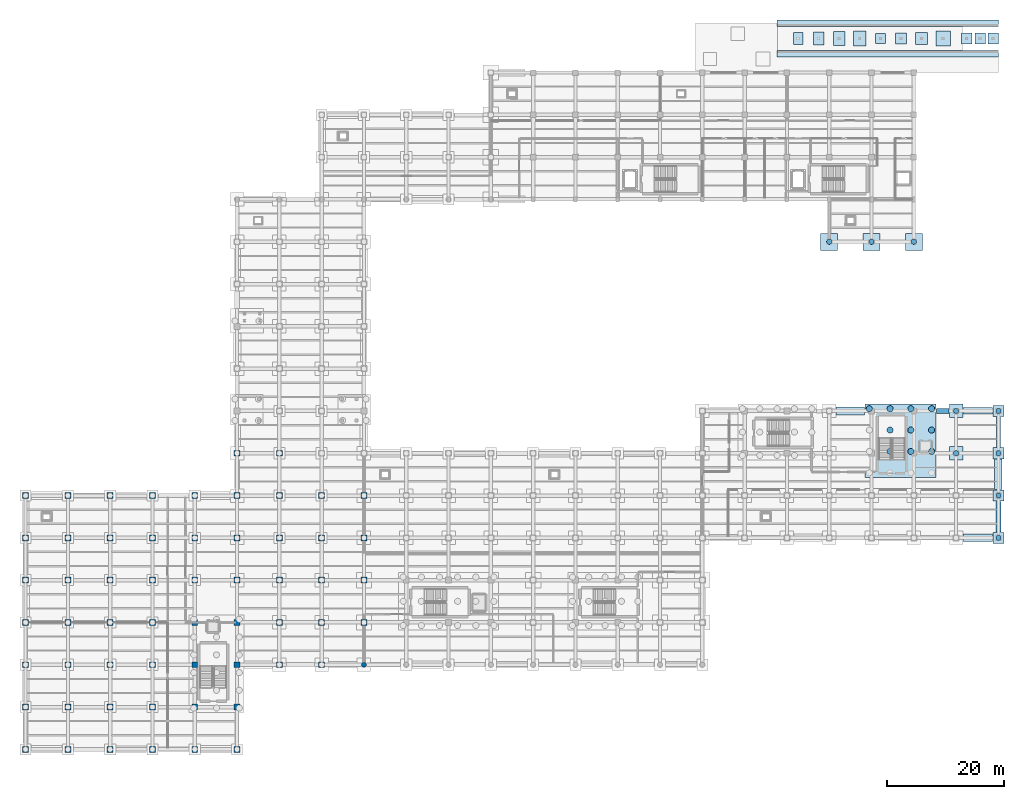
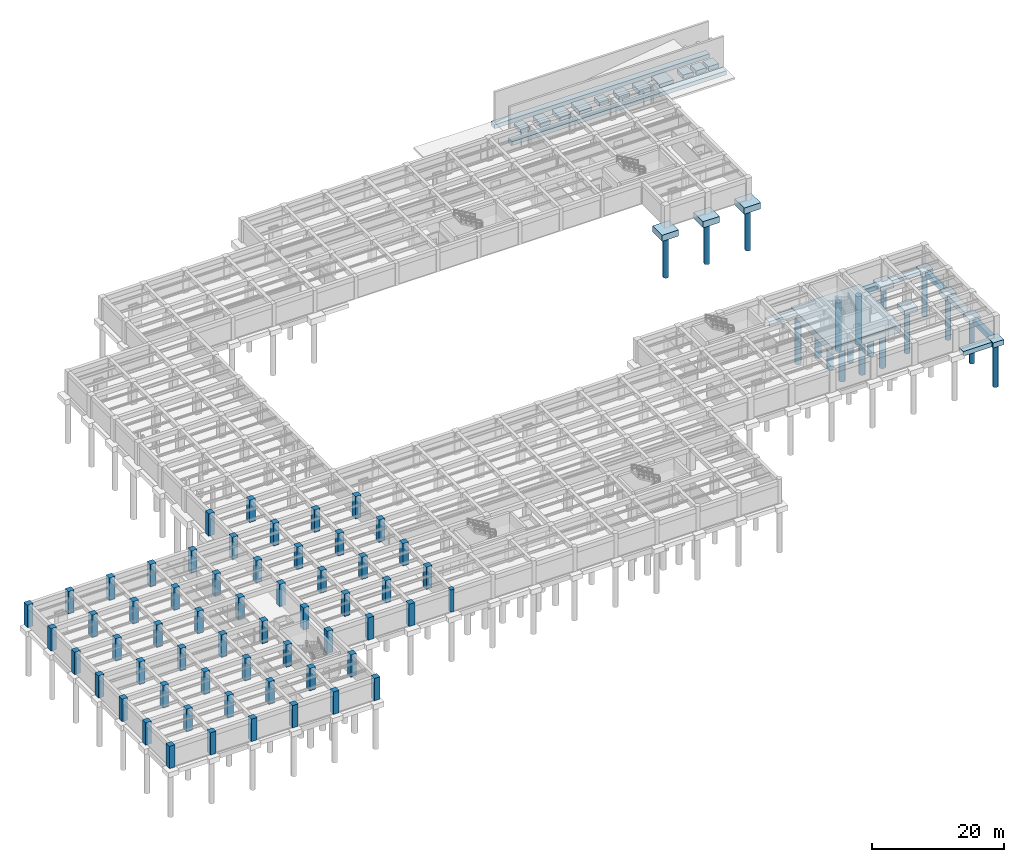
# One storey, part 4 of 34: 59 columns, 30 footings, 19 piles.
"""IFC4 building model written with IfcOpenShell, lengths in metres."""

from ifc_helpers import new_model, si_unit, direction, frame, origin, origin_2d, place, context, subcontext, project, spatial, polyline, rectangle, circle, outline, extrude, material, material_profile, profile_set, type_object, element, save


model = new_model("IFC4")

# Units and contexts
model_context = context("Model", 3, precision=1e-05, world=origin(), true_north=direction((0.0, 1.0)))
body_context = subcontext(model_context, "Body", "Model", "MODEL_VIEW")
ifc_project = project(units=[si_unit("LENGTHUNIT", "METRE"), si_unit("AREAUNIT", "SQUARE_METRE"), si_unit("VOLUMEUNIT", "CUBIC_METRE"), si_unit("PLANEANGLEUNIT", "RADIAN"), si_unit("MASSUNIT", "GRAM", prefix="KILO")], contexts=[model_context])

# Site, building, storey
site_placement = place(None, origin())
site = spatial("IfcSite", under=ifc_project, at=site_placement, CompositionType="ELEMENT")
building_placement = place(site_placement, origin())
building = spatial("IfcBuilding", under=site, at=building_placement, Name="Solenvale Faculty of Natural Sciences", CompositionType="ELEMENT")
storey_placement = place(building_placement, frame((0.0, 0.0, -4.5)))
storey = spatial("IfcBuildingStorey", under=building, at=storey_placement, Name="B01", CompositionType="ELEMENT", Elevation=-4.5)

# Footings
ifc_material_1 = material(Name="Concrete 40 MPa", Category="concrete")
footing_type_1 = type_object("IfcFootingType", Name="FT-CAP-12150x12450x1350", PredefinedType="PILE_CAP", material=ifc_material_1)
footing_1_placement = place(storey_placement, frame((148.925048828125, 52.52490234375, -1.699951171875), z_axis=(0.0, 0.0, 1.0), x_axis=(1.0, 0.0, 0.0)))
element("IfcFooting", 1, at=footing_1_placement, inside=storey, type_object=footing_type_1, Name="B01 Pile Cap 99", PredefinedType="PILE_CAP", context=body_context, shape_type="SweptSolid", body=[
    extrude(rectangle(XDim=12.14990234375, YDim=12.449951171875, at=origin_2d()), origin(), (0.0, 0.0, 1.0), 1.35009765625),
])
footing_type_2 = type_object("IfcFootingType", Name="FT-CAP-1900x1900x950", PredefinedType="PILE_CAP", material=ifc_material_1)
for number, where, z_axis, x_axis, name in (
    (2, (165.60009765625, 36.0, -1.2998046875), (0.0, 0.0, 1.0), (1.0, 0.0, 0.0), "B01 Pile Cap 74"),
    (3, (165.60009765625, 43.199951171875, -1.2998046875), (0.0, 0.0, 1.0), (1.0, 0.0, 0.0), "B01 Pile Cap 98"),
    (4, (165.60009765625, 50.39990234375, -1.2998046875), (0.0, 0.0, 1.0), (1.0, 0.0, 0.0), "B01 Pile Cap 115"),
    (5, (165.60009765625, 57.60009765625, -1.2998046875), (0.0, 0.0, 1.0), (1.0, 0.0, 0.0), "B01 Pile Cap 123"),
):
    element("IfcFooting", number, at=place(storey_placement, frame(where, z_axis=z_axis, x_axis=x_axis)), inside=storey, type_object=footing_type_2, Name=name, PredefinedType="PILE_CAP", context=body_context, shape_type="SweptSolid", body=[
        extrude(rectangle(XDim=1.89990234375, YDim=1.89990234375, at=origin_2d()), origin(), (0.0, 0.0, 1.0), 0.949951171875),
    ])
footing_type_3 = type_object("IfcFootingType", Name="FT-CAP-2300x2300x950", PredefinedType="PILE_CAP", material=ifc_material_1)
for number, where, z_axis, x_axis, name in (
    (6, (158.39990234375, 50.39990234375, -1.2998046875), (0.0, 0.0, 1.0), (1.0, 0.0, 0.0), "B01 Pile Cap 105"),
    (7, (158.39990234375, 57.60009765625, -1.2998046875), (0.0, 0.0, 1.0), (1.0, 0.0, 0.0), "B01 Pile Cap 120"),
):
    element("IfcFooting", number, at=place(storey_placement, frame(where, z_axis=z_axis, x_axis=x_axis)), inside=storey, type_object=footing_type_3, Name=name, PredefinedType="PILE_CAP", context=body_context, shape_type="SweptSolid", body=[
        extrude(rectangle(XDim=2.300048828125, YDim=2.300048828125, at=origin_2d()), origin(), (0.0, 0.0, 1.0), 0.949951171875),
    ])
footing_type_4 = type_object("IfcFootingType", Name="FT-CAP-2900x2900x1150", PredefinedType="PILE_CAP", material=ifc_material_1)
for number, where, z_axis, x_axis, name in (
    (8, (136.800048828125, 86.39990234375, -1.5), (0.0, 0.0, 1.0), (1.0, 0.0, 0.0), "B01 Pile Cap 136"),
    (9, (144.0, 86.39990234375, -1.5), (0.0, 0.0, 1.0), (1.0, 0.0, 0.0), "B01 Pile Cap 137"),
    (10, (151.199951171875, 86.39990234375, -1.5), (0.0, 0.0, 1.0), (1.0, 0.0, 0.0), "B01 Pile Cap 138"),
):
    element("IfcFooting", number, at=place(storey_placement, frame(where, z_axis=z_axis, x_axis=x_axis)), inside=storey, type_object=footing_type_4, Name=name, PredefinedType="PILE_CAP", context=body_context, shape_type="SweptSolid", body=[
        extrude(rectangle(XDim=2.89990234375, YDim=2.89990234375, at=origin_2d()), origin(), (0.0, 0.0, 1.0), 1.14990234375),
    ])
footing_type_5 = type_object("IfcFootingType", Name="FT-GB-700x900", PredefinedType="FOOTING_BEAM", material=ifc_material_1)
footing_2_placement = place(storey_placement, frame((0.0, 0.0, -1.25)))
element("IfcFooting", 11, at=footing_2_placement, inside=storey, type_object=footing_type_5, Name="B01 Continuous Foundation Beam 16.1", PredefinedType="FOOTING_BEAM", context=body_context, shape_type="SweptSolid", body=[
    extrude(outline(polyline([(165.25, 51.389892578125), (165.949951171875, 51.389892578125), (165.949951171875, 56.610107421875), (165.25, 56.610107421875), (165.25, 51.389892578125)])), origin(), (0.0, 0.0, 1.0), 0.89990234375),
])
footing_type_6 = type_object("IfcFootingType", Name="FT-GB-800x1000", PredefinedType="FOOTING_BEAM", material=ifc_material_1)
footing_3_placement = place(storey_placement, frame((0.0, 0.0, -1.35009765625)))
element("IfcFooting", 12, at=footing_3_placement, inside=storey, type_object=footing_type_6, Name="B01 Continuous Foundation Beam 15.4", PredefinedType="FOOTING_BEAM", context=body_context, shape_type="SweptSolid", body=[
    extrude(outline(polyline([(155.0400390625, 57.199951171875), (157.2099609375, 57.199951171875), (157.2099609375, 58.0), (155.0400390625, 58.0), (155.0400390625, 57.199951171875)])), origin(), (0.0, 0.0, 1.0), 1.0),
])
footing_4_placement = place(storey_placement, frame((0.0, 0.0, -1.35009765625)))
element("IfcFooting", 13, at=footing_4_placement, inside=storey, type_object=footing_type_6, Name="B01 Continuous Foundation Beam 16.3", PredefinedType="FOOTING_BEAM", context=body_context, shape_type="SweptSolid", body=[
    extrude(outline(polyline([(165.199951171875, 36.989990234375), (166.0, 36.989990234375), (166.0, 42.2099609375), (165.199951171875, 42.2099609375), (165.199951171875, 36.989990234375)])), origin(), (0.0, 0.0, 1.0), 1.0),
])
footing_type_7 = type_object("IfcFootingType", Name="FT-PAD-1600x2000", PredefinedType="PAD_FOOTING", material=ifc_material_1)
footing_5_placement = place(storey_placement, frame((131.5, 121.0, -1.0498046875), z_axis=(0.0, 0.0, 1.0), x_axis=(1.0, 0.0, 0.0)))
element("IfcFooting", 14, at=footing_5_placement, inside=storey, type_object=footing_type_7, Name="Vehicle Ramp Pier Footing 1", PredefinedType="PAD_FOOTING", context=body_context, shape_type="SweptSolid", body=[
    extrude(rectangle(XDim=1.60009765625, YDim=2.0, at=origin_2d()), origin(), (0.0, 0.0, 1.0), 0.699951171875),
])
footing_type_8 = type_object("IfcFootingType", Name="FT-PAD-1700x1700", PredefinedType="PAD_FOOTING", material=ifc_material_1)
footing_6_placement = place(storey_placement, frame((145.5, 121.0, -1.0498046875), z_axis=(0.0, 0.0, 1.0), x_axis=(1.0, 0.0, 0.0)))
element("IfcFooting", 15, at=footing_6_placement, inside=storey, type_object=footing_type_8, Name="Vehicle Ramp Pier Footing 5", PredefinedType="PAD_FOOTING", context=body_context, shape_type="SweptSolid", body=[
    extrude(rectangle(XDim=1.699951171875, YDim=1.699951171875, at=origin_2d()), origin(), (0.0, 0.0, 1.0), 0.699951171875),
])
footing_type_9 = type_object("IfcFootingType", Name="FT-PAD-1800x1800", PredefinedType="PAD_FOOTING", material=ifc_material_1)
for number, where, z_axis, x_axis, name in (
    (16, (160.199951171875, 121.0, -1.10009765625), (0.0, 0.0, 1.0), (1.0, 0.0, 0.0), "Vehicle Ramp Top Footing 1"),
    (17, (162.5, 121.0, -1.10009765625), (0.0, 0.0, 1.0), (1.0, 0.0, 0.0), "Vehicle Ramp Top Footing 2"),
    (18, (164.699951171875, 121.0, -1.10009765625), (0.0, 0.0, 1.0), (1.0, 0.0, 0.0), "Vehicle Ramp Top Footing 3"),
):
    element("IfcFooting", number, at=place(storey_placement, frame(where, z_axis=z_axis, x_axis=x_axis)), inside=storey, type_object=footing_type_9, Name=name, PredefinedType="PAD_FOOTING", context=body_context, shape_type="SweptSolid", body=[
        extrude(rectangle(XDim=1.800048828125, YDim=1.800048828125, at=origin_2d()), origin(), (0.0, 0.0, 1.0), 0.75),
    ])
footing_type_10 = type_object("IfcFootingType", Name="FT-PAD-1800x2200", PredefinedType="PAD_FOOTING", material=ifc_material_1)
footing_7_placement = place(storey_placement, frame((135.0, 121.0, -1.10009765625), z_axis=(0.0, 0.0, 1.0), x_axis=(1.0, 0.0, 0.0)))
element("IfcFooting", 19, at=footing_7_placement, inside=storey, type_object=footing_type_10, Name="Vehicle Ramp Pier Footing 2", PredefinedType="PAD_FOOTING", context=body_context, shape_type="SweptSolid", body=[
    extrude(rectangle(XDim=1.800048828125, YDim=2.199951171875, at=origin_2d()), origin(), (0.0, 0.0, 1.0), 0.75),
])
footing_type_11 = type_object("IfcFootingType", Name="FT-PAD-1900x1900", PredefinedType="PAD_FOOTING", material=ifc_material_1)
footing_8_placement = place(storey_placement, frame((149.0, 121.0, -1.10009765625), z_axis=(0.0, 0.0, 1.0), x_axis=(1.0, 0.0, 0.0)))
element("IfcFooting", 20, at=footing_8_placement, inside=storey, type_object=footing_type_11, Name="Vehicle Ramp Pier Footing 6", PredefinedType="PAD_FOOTING", context=body_context, shape_type="SweptSolid", body=[
    extrude(rectangle(XDim=1.89990234375, YDim=1.89990234375, at=origin_2d()), origin(), (0.0, 0.0, 1.0), 0.75),
])
footing_type_12 = type_object("IfcFootingType", Name="FT-PAD-2000x2400", PredefinedType="PAD_FOOTING", material=ifc_material_1)
footing_9_placement = place(storey_placement, frame((138.5, 121.0, -1.14990234375), z_axis=(0.0, 0.0, 1.0), x_axis=(1.0, 0.0, 0.0)))
element("IfcFooting", 21, at=footing_9_placement, inside=storey, type_object=footing_type_12, Name="Vehicle Ramp Pier Footing 3", PredefinedType="PAD_FOOTING", context=body_context, shape_type="SweptSolid", body=[
    extrude(rectangle(XDim=2.0, YDim=2.39990234375, at=origin_2d()), origin(), (0.0, 0.0, 1.0), 0.800048828125),
])
footing_type_13 = type_object("IfcFootingType", Name="FT-PAD-2100x2100", PredefinedType="PAD_FOOTING", material=ifc_material_1)
footing_10_placement = place(storey_placement, frame((152.5, 121.0, -1.14990234375), z_axis=(0.0, 0.0, 1.0), x_axis=(1.0, 0.0, 0.0)))
element("IfcFooting", 22, at=footing_10_placement, inside=storey, type_object=footing_type_13, Name="Vehicle Ramp Pier Footing 7", PredefinedType="PAD_FOOTING", context=body_context, shape_type="SweptSolid", body=[
    extrude(rectangle(XDim=2.10009765625, YDim=2.10009765625, at=origin_2d()), origin(), (0.0, 0.0, 1.0), 0.800048828125),
])
footing_type_14 = type_object("IfcFootingType", Name="FT-PAD-2200x2600", PredefinedType="PAD_FOOTING", material=ifc_material_1)
footing_11_placement = place(storey_placement, frame((142.0, 121.0, -1.199951171875), z_axis=(0.0, 0.0, 1.0), x_axis=(1.0, 0.0, 0.0)))
element("IfcFooting", 23, at=footing_11_placement, inside=storey, type_object=footing_type_14, Name="Vehicle Ramp Pier Footing 4", PredefinedType="PAD_FOOTING", context=body_context, shape_type="SweptSolid", body=[
    extrude(rectangle(XDim=2.199951171875, YDim=2.60009765625, at=origin_2d()), origin(), (0.0, 0.0, 1.0), 0.85009765625),
])
footing_type_15 = type_object("IfcFootingType", Name="FT-PAD-2500x2500", PredefinedType="PAD_FOOTING", material=ifc_material_1)
footing_12_placement = place(storey_placement, frame((156.199951171875, 121.0, -1.25), z_axis=(0.0, 0.0, 1.0), x_axis=(1.0, 0.0, 0.0)))
element("IfcFooting", 24, at=footing_12_placement, inside=storey, type_object=footing_type_15, Name="Vehicle Ramp Pier Footing 8", PredefinedType="PAD_FOOTING", context=body_context, shape_type="SweptSolid", body=[
    extrude(rectangle(XDim=2.5, YDim=2.5, at=origin_2d()), origin(), (0.0, 0.0, 1.0), 0.89990234375),
])
footing_type_16 = type_object("IfcFootingType", Name="FT-ST-1100x750", PredefinedType="STRIP_FOOTING", material=ifc_material_1)
footing_13_placement = place(storey_placement, frame((0.0, 0.0, -1.10009765625)))
element("IfcFooting", 25, at=footing_13_placement, inside=storey, type_object=footing_type_16, Name="B01 Continuous Foundation Beam 15.5", PredefinedType="STRIP_FOOTING", context=body_context, shape_type="SweptSolid", body=[
    extrude(outline(polyline([(159.590087890625, 57.050048828125), (164.610107421875, 57.050048828125), (164.610107421875, 58.14990234375), (159.590087890625, 58.14990234375), (159.590087890625, 57.050048828125)])), origin(), (0.0, 0.0, 1.0), 0.75),
])
for number, where, z_axis, x_axis, name in (
    (26, (146.800048828125, 123.60009765625, -1.10009765625), (0.0, 0.0, 1.0), (1.0, 0.0, 0.0), "Vehicle Ramp North Cheek Wall Strip Footing"),
    (27, (146.800048828125, 118.39990234375, -1.10009765625), (0.0, 0.0, 1.0), (1.0, 0.0, 0.0), "Vehicle Ramp South Cheek Wall Strip Footing"),
):
    element("IfcFooting", number, at=place(storey_placement, frame(where, z_axis=z_axis, x_axis=x_axis)), inside=storey, type_object=footing_type_16, Name=name, PredefinedType="STRIP_FOOTING", context=body_context, shape_type="SweptSolid", body=[
        extrude(rectangle(XDim=37.699951171875, YDim=1.10009765625, at=origin_2d()), origin(), (0.0, 0.0, 1.0), 0.75),
    ])
footing_type_17 = type_object("IfcFootingType", Name="FT-ST-1300x850", PredefinedType="STRIP_FOOTING", material=ifc_material_1)
footing_14_placement = place(storey_placement, frame((0.0, 0.0, -1.199951171875)))
element("IfcFooting", 28, at=footing_14_placement, inside=storey, type_object=footing_type_17, Name="B01 Continuous Foundation Beam 15.3", PredefinedType="STRIP_FOOTING", context=body_context, shape_type="SweptSolid", body=[
    extrude(outline(polyline([(137.989990234375, 56.949951171875), (142.81005859375, 56.949951171875), (142.81005859375, 58.25), (137.989990234375, 58.25), (137.989990234375, 56.949951171875)])), origin(), (0.0, 0.0, 1.0), 0.849853515625),
])
footing_15_placement = place(storey_placement, frame((0.0, 0.0, -1.199951171875)))
element("IfcFooting", 29, at=footing_15_placement, inside=storey, type_object=footing_type_17, Name="B01 Continuous Foundation Beam 16.2", PredefinedType="STRIP_FOOTING", context=body_context, shape_type="SweptSolid", body=[
    extrude(outline(polyline([(164.949951171875, 44.18994140625), (166.25, 44.18994140625), (166.25, 49.409912109375), (164.949951171875, 49.409912109375), (164.949951171875, 44.18994140625)])), origin(), (0.0, 0.0, 1.0), 0.849853515625),
])
footing_16_placement = place(storey_placement, frame((0.0, 0.0, -1.199951171875)))
element("IfcFooting", 30, at=footing_16_placement, inside=storey, type_object=footing_type_17, Name="B01 Continuous Foundation Beam 17.1", PredefinedType="STRIP_FOOTING", context=body_context, shape_type="SweptSolid", body=[
    extrude(outline(polyline([(159.590087890625, 35.35009765625), (164.610107421875, 35.35009765625), (164.610107421875, 36.64990234375), (159.590087890625, 36.64990234375), (159.590087890625, 35.35009765625)])), origin(), (0.0, 0.0, 1.0), 0.849853515625),
])

# Piles
ifc_material_profile_1 = material_profile(ifc_material_1, circle(Radius=0.52490234375, at=origin_2d()), Name="PILE-D1050")
ifc_profile_set_1 = profile_set([ifc_material_profile_1], Name="Concrete 40 MPa")
pile_type_1 = type_object("IfcPileType", Name="PL-BOR-1050", PredefinedType="BORED", material=ifc_profile_set_1)
for number, where, z_axis, x_axis, name in (
    (31, (143.625, 57.97509765625, -1.60009765625), (0.0, 0.0, -1.0), (1.0, 0.0, 0.0), "B01 Bored Pile 232"),
    (32, (147.157958984375, 50.7080078125, -1.60009765625), (0.0, 0.0, -1.0), (1.0, 0.0, 0.0), "B01 Bored Pile 234"),
    (33, (147.157958984375, 54.342041015625, -1.60009765625), (0.0, 0.0, -1.0), (1.0, 0.0, 0.0), "B01 Bored Pile 235"),
    (34, (147.157958984375, 57.97509765625, -1.60009765625), (0.0, 0.0, -1.0), (1.0, 0.0, 0.0), "B01 Bored Pile 236"),
    (35, (150.69189453125, 50.7080078125, -1.60009765625), (0.0, 0.0, -1.0), (1.0, 0.0, 0.0), "B01 Bored Pile 238"),
    (36, (150.69189453125, 54.342041015625, -1.60009765625), (0.0, 0.0, -1.0), (1.0, 0.0, 0.0), "B01 Bored Pile 239"),
    (37, (150.69189453125, 57.97509765625, -1.60009765625), (0.0, 0.0, -1.0), (1.0, 0.0, 0.0), "B01 Bored Pile 240"),
    (38, (154.22509765625, 50.7080078125, -1.60009765625), (0.0, 0.0, -1.0), (1.0, 0.0, 0.0), "B01 Bored Pile 242"),
    (39, (154.22509765625, 54.342041015625, -1.60009765625), (0.0, 0.0, -1.0), (1.0, 0.0, 0.0), "B01 Bored Pile 243"),
    (40, (154.22509765625, 57.97509765625, -1.60009765625), (0.0, 0.0, -1.0), (1.0, 0.0, 0.0), "B01 Bored Pile 244"),
):
    element("IfcPile", number, at=place(storey_placement, frame(where, z_axis=z_axis, x_axis=x_axis)), inside=storey, type_object=pile_type_1, Name=name, PredefinedType="BORED", context=body_context, shape_type="SweptSolid", body=[
        extrude(circle(Radius=0.52490234375, at=origin_2d()), origin(), (0.0, 0.0, 1.0), 9.0),
    ])
ifc_material_profile_2 = material_profile(ifc_material_1, circle(Radius=0.449951171875, at=origin_2d()), Name="PILE-D900")
ifc_profile_set_2 = profile_set([ifc_material_profile_2], Name="Concrete 40 MPa")
pile_type_2 = type_object("IfcPileType", Name="PL-BOR-900", PredefinedType="BORED", material=ifc_profile_set_2)
for number, where, z_axis, x_axis, name in (
    (41, (165.60009765625, 36.0, -1.199951171875), (0.0, 0.0, -1.0), (1.0, 0.0, 0.0), "B01 Bored Pile 204"),
    (42, (165.60009765625, 43.199951171875, -1.199951171875), (0.0, 0.0, -1.0), (1.0, 0.0, 0.0), "B01 Bored Pile 228"),
    (43, (158.39990234375, 50.39990234375, -1.199951171875), (0.0, 0.0, -1.0), (1.0, 0.0, 0.0), "B01 Bored Pile 264"),
    (44, (165.60009765625, 50.39990234375, -1.199951171875), (0.0, 0.0, -1.0), (1.0, 0.0, 0.0), "B01 Bored Pile 274"),
    (45, (158.39990234375, 57.60009765625, -1.199951171875), (0.0, 0.0, -1.0), (1.0, 0.0, 0.0), "B01 Bored Pile 285"),
    (46, (165.60009765625, 57.60009765625, -1.199951171875), (0.0, 0.0, -1.0), (1.0, 0.0, 0.0), "B01 Bored Pile 288"),
    (47, (136.800048828125, 86.39990234375, -1.39990234375), (0.0, 0.0, -1.0), (1.0, 0.0, 0.0), "B01 Bored Pile 302"),
    (48, (144.0, 86.39990234375, -1.39990234375), (0.0, 0.0, -1.0), (1.0, 0.0, 0.0), "B01 Bored Pile 303"),
    (49, (151.199951171875, 86.39990234375, -1.39990234375), (0.0, 0.0, -1.0), (1.0, 0.0, 0.0), "B01 Bored Pile 304"),
):
    element("IfcPile", number, at=place(storey_placement, frame(where, z_axis=z_axis, x_axis=x_axis)), inside=storey, type_object=pile_type_2, Name=name, PredefinedType="BORED", context=body_context, shape_type="SweptSolid", body=[
        extrude(circle(Radius=0.449951171875, at=origin_2d()), origin(), (0.0, 0.0, 1.0), 8.0),
    ])

# Columns
ifc_material_2 = material(Name="Concrete 50 MPa", Category="concrete")
ifc_material_profile_3 = material_profile(ifc_material_2, rectangle(XDim=1.0, YDim=1.0, at=origin_2d()), Name="RC-COL-1000x1000")
ifc_profile_set_3 = profile_set([ifc_material_profile_3], Name="Concrete 50 MPa")
column_type_1 = type_object("IfcColumnType", Name="COL-RC-1000", PredefinedType="COLUMN", material=ifc_profile_set_3)
for number, where, z_axis, x_axis, name in (
    (50, (0.0, 0.0, 0.0), (0.0, 0.0, 1.0), (1.0, 0.0, 0.0), "B01 Column (0.0, 0.0)"),
    (51, (0.0, 7.199951171875, 0.0), (0.0, 0.0, 1.0), (1.0, 0.0, 0.0), "B01 Column (0.0, 7.2)"),
    (52, (0.0, 14.39990234375, 0.0), (0.0, 0.0, 1.0), (1.0, 0.0, 0.0), "B01 Column (0.0, 14.4)"),
    (53, (0.0, 21.60009765625, 0.0), (0.0, 0.0, 1.0), (1.0, 0.0, 0.0), "B01 Column (0.0, 21.6)"),
    (54, (0.0, 28.800048828125, 0.0), (0.0, 0.0, 1.0), (1.0, 0.0, 0.0), "B01 Column (0.0, 28.8)"),
    (55, (0.0, 36.0, 0.0), (0.0, 0.0, 1.0), (1.0, 0.0, 0.0), "B01 Column (0.0, 36.0)"),
    (56, (0.0, 43.199951171875, 0.0), (0.0, 0.0, 1.0), (1.0, 0.0, 0.0), "B01 Column (0.0, 43.2)"),
    (57, (7.199951171875, 0.0, 0.0), (0.0, 0.0, 1.0), (1.0, 0.0, 0.0), "B01 Column (7.2, 0.0)"),
    (58, (7.199951171875, 7.199951171875, 0.0), (0.0, 0.0, 1.0), (1.0, 0.0, 0.0), "B01 Column (7.2, 7.2)"),
    (59, (7.199951171875, 14.39990234375, 0.0), (0.0, 0.0, 1.0), (1.0, 0.0, 0.0), "B01 Column (7.2, 14.4)"),
    (60, (7.199951171875, 21.60009765625, 0.0), (0.0, 0.0, 1.0), (1.0, 0.0, 0.0), "B01 Column (7.2, 21.6)"),
    (61, (7.199951171875, 28.800048828125, 0.0), (0.0, 0.0, 1.0), (1.0, 0.0, 0.0), "B01 Column (7.2, 28.8)"),
    (62, (7.199951171875, 36.0, 0.0), (0.0, 0.0, 1.0), (1.0, 0.0, 0.0), "B01 Column (7.2, 36.0)"),
    (63, (7.199951171875, 43.199951171875, 0.0), (0.0, 0.0, 1.0), (1.0, 0.0, 0.0), "B01 Column (7.2, 43.2)"),
    (64, (14.39990234375, 0.0, 0.0), (0.0, 0.0, 1.0), (1.0, 0.0, 0.0), "B01 Column (14.4, 0.0)"),
    (65, (14.39990234375, 7.199951171875, 0.0), (0.0, 0.0, 1.0), (1.0, 0.0, 0.0), "B01 Column (14.4, 7.2)"),
    (66, (14.39990234375, 14.39990234375, 0.0), (0.0, 0.0, 1.0), (1.0, 0.0, 0.0), "B01 Column (14.4, 14.4)"),
    (67, (14.39990234375, 21.60009765625, 0.0), (0.0, 0.0, 1.0), (1.0, 0.0, 0.0), "B01 Column (14.4, 21.6)"),
    (68, (14.39990234375, 28.800048828125, 0.0), (0.0, 0.0, 1.0), (1.0, 0.0, 0.0), "B01 Column (14.4, 28.8)"),
    (69, (14.39990234375, 36.0, 0.0), (0.0, 0.0, 1.0), (1.0, 0.0, 0.0), "B01 Column (14.4, 36.0)"),
    (70, (14.39990234375, 43.199951171875, 0.0), (0.0, 0.0, 1.0), (1.0, 0.0, 0.0), "B01 Column (14.4, 43.2)"),
    (71, (21.60009765625, 0.0, 0.0), (0.0, 0.0, 1.0), (1.0, 0.0, 0.0), "B01 Column (21.6, 0.0)"),
    (72, (21.60009765625, 7.199951171875, 0.0), (0.0, 0.0, 1.0), (1.0, 0.0, 0.0), "B01 Column (21.6, 7.2)"),
    (73, (21.60009765625, 14.39990234375, 0.0), (0.0, 0.0, 1.0), (1.0, 0.0, 0.0), "B01 Column (21.6, 14.4)"),
    (74, (21.60009765625, 21.60009765625, 0.0), (0.0, 0.0, 1.0), (1.0, 0.0, 0.0), "B01 Column (21.6, 21.6)"),
    (75, (21.60009765625, 28.800048828125, 0.0), (0.0, 0.0, 1.0), (1.0, 0.0, 0.0), "B01 Column (21.6, 28.8)"),
    (76, (21.60009765625, 36.0, 0.0), (0.0, 0.0, 1.0), (1.0, 0.0, 0.0), "B01 Column (21.6, 36.0)"),
    (77, (21.60009765625, 43.199951171875, 0.0), (0.0, 0.0, 1.0), (1.0, 0.0, 0.0), "B01 Column (21.6, 43.2)"),
    (78, (28.800048828125, 0.0, 0.0), (0.0, 0.0, 1.0), (1.0, 0.0, 0.0), "B01 Column (28.8, 0.0)"),
    (79, (28.800048828125, 7.199951171875, 0.0), (0.0, 0.0, 1.0), (1.0, 0.0, 0.0), "B01 Column (28.8, 7.2)"),
    (80, (28.800048828125, 14.39990234375, 0.0), (0.0, 0.0, 1.0), (1.0, 0.0, 0.0), "B01 Column (28.8, 14.4)"),
    (81, (28.800048828125, 21.60009765625, 0.0), (0.0, 0.0, 1.0), (1.0, 0.0, 0.0), "B01 Column (28.8, 21.6)"),
    (82, (28.800048828125, 28.800048828125, 0.0), (0.0, 0.0, 1.0), (1.0, 0.0, 0.0), "B01 Column (28.8, 28.8)"),
    (83, (28.800048828125, 36.0, 0.0), (0.0, 0.0, 1.0), (1.0, 0.0, 0.0), "B01 Column (28.8, 36.0)"),
    (84, (28.800048828125, 43.199951171875, 0.0), (0.0, 0.0, 1.0), (1.0, 0.0, 0.0), "B01 Column (28.8, 43.2)"),
    (85, (36.0, 0.0, 0.0), (0.0, 0.0, 1.0), (1.0, 0.0, 0.0), "B01 Column (36.0, 0.0)"),
    (86, (36.0, 7.199951171875, 0.0), (0.0, 0.0, 1.0), (1.0, 0.0, 0.0), "B01 Column (36.0, 7.2)"),
    (87, (36.0, 14.39990234375, 0.0), (0.0, 0.0, 1.0), (1.0, 0.0, 0.0), "B01 Column (36.0, 14.4)"),
    (88, (36.0, 21.60009765625, 0.0), (0.0, 0.0, 1.0), (1.0, 0.0, 0.0), "B01 Column (36.0, 21.6)"),
    (89, (36.0, 28.800048828125, 0.0), (0.0, 0.0, 1.0), (1.0, 0.0, 0.0), "B01 Column (36.0, 28.8)"),
    (90, (36.0, 36.0, 0.0), (0.0, 0.0, 1.0), (1.0, 0.0, 0.0), "B01 Column (36.0, 36.0)"),
    (91, (36.0, 43.199951171875, 0.0), (0.0, 0.0, 1.0), (1.0, 0.0, 0.0), "B01 Column (36.0, 43.2)"),
    (92, (36.0, 50.39990234375, 0.0), (0.0, 0.0, 1.0), (1.0, 0.0, 0.0), "B01 Column (36.0, 50.4)"),
    (93, (43.199951171875, 14.39990234375, 0.0), (0.0, 0.0, 1.0), (1.0, 0.0, 0.0), "B01 Column (43.2, 14.4)"),
    (94, (43.199951171875, 21.60009765625, 0.0), (0.0, 0.0, 1.0), (1.0, 0.0, 0.0), "B01 Column (43.2, 21.6)"),
    (95, (43.199951171875, 28.800048828125, 0.0), (0.0, 0.0, 1.0), (1.0, 0.0, 0.0), "B01 Column (43.2, 28.8)"),
    (96, (43.199951171875, 36.0, 0.0), (0.0, 0.0, 1.0), (1.0, 0.0, 0.0), "B01 Column (43.2, 36.0)"),
    (97, (43.199951171875, 43.199951171875, 0.0), (0.0, 0.0, 1.0), (1.0, 0.0, 0.0), "B01 Column (43.2, 43.2)"),
    (98, (43.199951171875, 50.39990234375, 0.0), (0.0, 0.0, 1.0), (1.0, 0.0, 0.0), "B01 Column (43.2, 50.4)"),
    (99, (50.39990234375, 14.39990234375, 0.0), (0.0, 0.0, 1.0), (1.0, 0.0, 0.0), "B01 Column (50.4, 14.4)"),
    (100, (50.39990234375, 21.60009765625, 0.0), (0.0, 0.0, 1.0), (1.0, 0.0, 0.0), "B01 Column (50.4, 21.6)"),
    (101, (50.39990234375, 28.800048828125, 0.0), (0.0, 0.0, 1.0), (1.0, 0.0, 0.0), "B01 Column (50.4, 28.8)"),
    (102, (50.39990234375, 36.0, 0.0), (0.0, 0.0, 1.0), (1.0, 0.0, 0.0), "B01 Column (50.4, 36.0)"),
    (103, (50.39990234375, 43.199951171875, 0.0), (0.0, 0.0, 1.0), (1.0, 0.0, 0.0), "B01 Column (50.4, 43.2)"),
    (104, (57.60009765625, 21.60009765625, 0.0), (0.0, 0.0, 1.0), (1.0, 0.0, 0.0), "B01 Column (57.6, 21.6)"),
    (105, (57.60009765625, 28.800048828125, 0.0), (0.0, 0.0, 1.0), (1.0, 0.0, 0.0), "B01 Column (57.6, 28.8)"),
    (106, (57.60009765625, 36.0, 0.0), (0.0, 0.0, 1.0), (1.0, 0.0, 0.0), "B01 Column (57.6, 36.0)"),
    (107, (57.60009765625, 43.199951171875, 0.0), (0.0, 0.0, 1.0), (1.0, 0.0, 0.0), "B01 Column (57.6, 43.2)"),
):
    element("IfcColumn", number, at=place(storey_placement, frame(where, z_axis=z_axis, x_axis=x_axis)), inside=storey, type_object=column_type_1, Name=name, PredefinedType="COLUMN", context=body_context, shape_type="SweptSolid", body=[
        extrude(rectangle(XDim=1.0, YDim=1.0, at=origin_2d()), origin(), (0.0, 0.0, 1.0), 4.14990234375),
    ])
ifc_material_3 = material(Name="Architectural bronze concrete 40 MPa", Category="concrete")
ifc_material_profile_4 = material_profile(ifc_material_3, circle(Radius=0.425048828125, at=origin_2d()), Name="RC-COL-D850")
ifc_profile_set_4 = profile_set([ifc_material_profile_4], Name="Architectural bronze concrete 40 MPa")
column_type_2 = type_object("IfcColumnType", Name="COL-RC-D850", PredefinedType="COLUMN", material=ifc_profile_set_4)
column_placement = place(storey_placement, frame((57.60009765625, 14.39990234375, 0.0), z_axis=(0.0, 0.0, 1.0), x_axis=(1.0, 0.0, 0.0)))
element("IfcColumn", 108, at=column_placement, inside=storey, type_object=column_type_2, Name="B01 Column (57.6, 14.4)", PredefinedType="COLUMN", context=body_context, shape_type="SweptSolid", body=[
    extrude(circle(Radius=0.425048828125, at=origin_2d()), origin(), (0.0, 0.0, 1.0), 4.14990234375),
])

save(model, "model.ifc")
